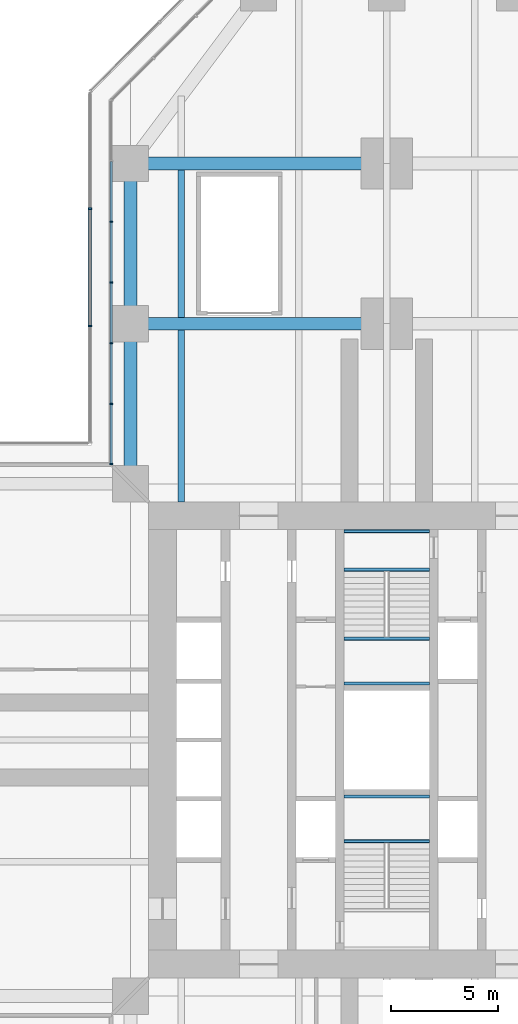
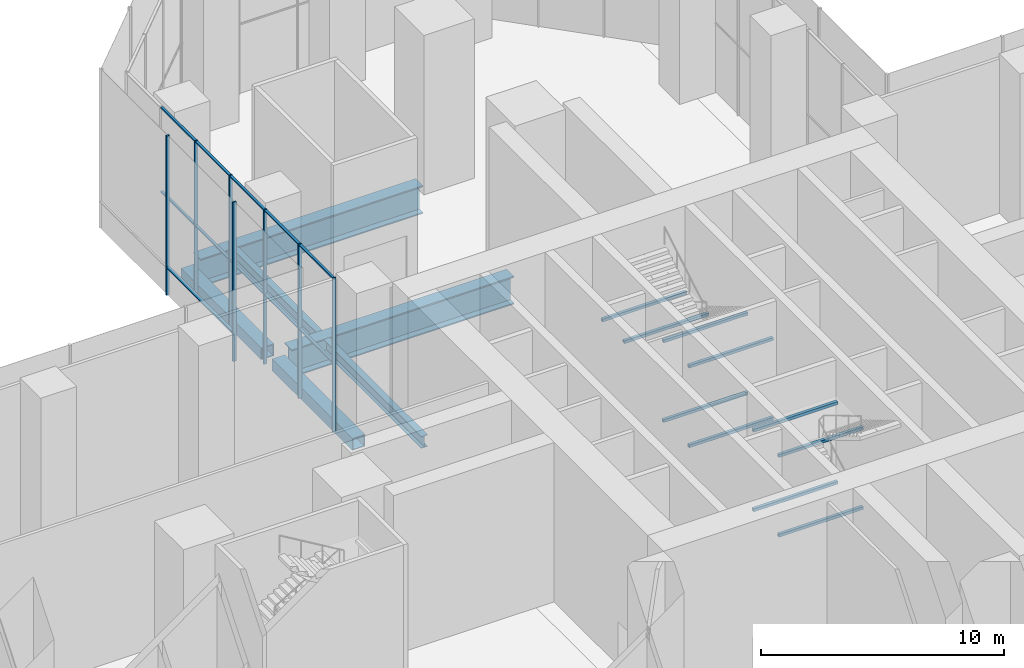
# One storey, part 8 of 25: 18 members, 16 beams, 2 elements without a shape of their own.
"""IFC4 building model written with IfcOpenShell, lengths in metres."""

from ifc_helpers import new_model, si_unit, direction, frame, origin, origin_2d, place, context, subcontext, project, spatial, rectangle, hollow_rectangle, i_section, extrude, material, material_profile, profile_set, type_object, element, aggregate, save


model = new_model("IFC4")

# Units and contexts
model_context = context("Model", 3, precision=1e-05, world=origin(), true_north=direction((0.0, 1.0)))
body_context = subcontext(model_context, "Body", "Model", "MODEL_VIEW")
ifc_project = project(units=[si_unit("LENGTHUNIT", "METRE"), si_unit("AREAUNIT", "SQUARE_METRE"), si_unit("VOLUMEUNIT", "CUBIC_METRE"), si_unit("PLANEANGLEUNIT", "RADIAN"), si_unit("MASSUNIT", "GRAM", prefix="KILO")], contexts=[model_context])

# Site, building, storey
site_placement = place(None, origin())
site = spatial("IfcSite", under=ifc_project, at=site_placement, CompositionType="ELEMENT")
building_placement = place(site_placement, origin())
building = spatial("IfcBuilding", under=site, at=building_placement, Name="Mizan Broadcast Tower", CompositionType="ELEMENT")
storey_placement = place(building_placement, frame((0.0, 0.0, 7.0)))
storey = spatial("IfcBuildingStorey", under=building, at=storey_placement, Name="L01", CompositionType="ELEMENT", Elevation=7.0)

# Beams
ifc_material_1 = material(Name="Steel S355", Category="steel")
ifc_material_profile_1 = material_profile(ifc_material_1, hollow_rectangle(XDim=0.60009765625, YDim=0.60009765625, WallThickness=0.0400390625, at=origin_2d()), Name="BOX 600x600x40")
ifc_profile_set_1 = profile_set([ifc_material_profile_1], Name="Steel S355")
beam_type_1 = type_object("IfcBeamType", Name="EDGE BEAM BOX 600x600x40", PredefinedType="SPANDREL", material=ifc_profile_set_1)
for number, where, z_axis, x_axis, name in (
    (1, (-12.0, 12.449951171875, -0.550048828125), (0.0, 1.0, 0.0), (-1.0, 0.0, 0.0), "Edge beam BOX 600x600x40 L01 north arm"),
    (2, (-12.0, 19.949951171875, -0.550048828125), (0.0, 1.0, 0.0), (-1.0, 0.0, 0.0), "Edge beam BOX 600x600x40 L01 north arm"),
):
    element("IfcBeam", number, at=place(storey_placement, frame(where, z_axis=z_axis, x_axis=x_axis)), inside=storey, type_object=beam_type_1, Name=name, PredefinedType="SPANDREL", context=body_context, shape_type="SweptSolid", body=[
        extrude(hollow_rectangle(XDim=0.60009765625, YDim=0.60009765625, WallThickness=0.0400390625, at=origin_2d()), origin(), (0.0, 0.0, 1.0), 6.60009765625),
    ])
ifc_material_2 = material(Name="Steel S460", Category="steel")
ifc_material_profile_2 = material_profile(ifc_material_2, i_section(OverallWidth=0.60009765625, OverallDepth=1.39990234375, WebThickness=0.02490234375, FlangeThickness=0.06005859375, at=origin_2d()), Name="WPG 1400x600")
ifc_profile_set_2 = profile_set([ifc_material_profile_2], Name="Steel S460")
beam_type_2 = type_object("IfcBeamType", Name="GIRDER WPG 1400x600", PredefinedType="BEAM", material=ifc_profile_set_2)
for number, where, z_axis, x_axis, name in (
    (3, (-0.719970703125, 19.5, -0.949951171875), (-1.0, 0.0, 0.0), (0.0, -1.0, 0.0), "Girder WPG 1400x600 L01 north arm"),
    (4, (-0.719970703125, 27.0, -0.949951171875), (-1.0, 0.0, 0.0), (0.0, -1.0, 0.0), "Girder WPG 1400x600 L01 north arm"),
):
    element("IfcBeam", number, at=place(storey_placement, frame(where, z_axis=z_axis, x_axis=x_axis)), inside=storey, type_object=beam_type_2, Name=name, PredefinedType="BEAM", context=body_context, shape_type="SweptSolid", body=[
        extrude(i_section(OverallWidth=0.60009765625, OverallDepth=1.39990234375, WebThickness=0.02490234375, FlangeThickness=0.06005859375, at=origin_2d()), origin(), (0.0, 0.0, 1.0), 10.56005859375),
    ])

# Curtain wall, members
ifc_material_3 = material(Name="Aluminium framed glazing", Category="aluminium")
curtain_wall_type_1 = type_object("IfcCurtainWallType", Name="PODIUM CURTAIN WALL", PredefinedType="USERDEFINED", material=ifc_material_3)
curtain_wall_1_placement = place(storey_placement, origin())
curtain_wall_1 = element("IfcCurtainWall", 5, at=curtain_wall_1_placement, inside=storey, type_object=curtain_wall_type_1, Name="Podium curtain wall L01 N side", ObjectType="PODIUM CURTAIN WALL", PredefinedType="USERDEFINED")
ifc_material_4 = material(Name="Aluminium, pale anodised", Category="aluminium")
ifc_material_profile_3 = material_profile(ifc_material_4, rectangle(XDim=0.159912109375, YDim=0.06005859375, at=origin_2d()), Name="MULLION 160x60")
ifc_profile_set_3 = profile_set([ifc_material_profile_3], Name="Aluminium, pale anodised")
member_type_1 = type_object("IfcMemberType", Name="INNER SKIN MULLION 60x160", PredefinedType="MULLION", material=ifc_profile_set_3)
member_1_placement = place(storey_placement, frame((-12.89990234375, 24.2724609375, 0.0), z_axis=(0.0, 0.0, 1.0), x_axis=(1.0, 0.0, 0.0)))
member_1 = element("IfcMember", 6, at=member_1_placement, type_object=member_type_1, Name="Podium curtain wall L01 N side mullion 3", PredefinedType="MULLION", context=body_context, shape_type="SweptSolid", body=[
    extrude(rectangle(XDim=0.159912109375, YDim=0.06005859375, at=origin_2d()), origin(), (0.0, 0.0, 1.0), 7.75),
])
member_2_placement = place(storey_placement, frame((-12.89990234375, 21.42919921875, 0.0), z_axis=(0.0, 0.0, 1.0), x_axis=(1.0, 0.0, 0.0)))
member_2 = element("IfcMember", 7, at=member_2_placement, type_object=member_type_1, Name="Podium curtain wall L01 N side mullion 4", PredefinedType="MULLION", context=body_context, shape_type="SweptSolid", body=[
    extrude(rectangle(XDim=0.159912109375, YDim=0.06005859375, at=origin_2d()), origin(), (0.0, 0.0, 1.0), 7.75),
])
member_3_placement = place(storey_placement, frame((-12.89990234375, 18.586181640625, 0.0), z_axis=(0.0, 0.0, 1.0), x_axis=(1.0, 0.0, 0.0)))
member_3 = element("IfcMember", 8, at=member_3_placement, type_object=member_type_1, Name="Podium curtain wall L01 N side mullion 5", PredefinedType="MULLION", context=body_context, shape_type="SweptSolid", body=[
    extrude(rectangle(XDim=0.159912109375, YDim=0.06005859375, at=origin_2d()), origin(), (0.0, 0.0, 1.0), 7.75),
])
member_4_placement = place(storey_placement, frame((-12.89990234375, 15.7431640625, 0.0), z_axis=(0.0, 0.0, 1.0), x_axis=(1.0, 0.0, 0.0)))
member_4 = element("IfcMember", 9, at=member_4_placement, type_object=member_type_1, Name="Podium curtain wall L01 N side mullion 6", PredefinedType="MULLION", context=body_context, shape_type="SweptSolid", body=[
    extrude(rectangle(XDim=0.159912109375, YDim=0.06005859375, at=origin_2d()), origin(), (0.0, 0.0, 1.0), 7.75),
])
member_5_placement = place(storey_placement, frame((-12.89990234375, 12.929931640625, 0.0), z_axis=(0.0, 0.0, 1.0), x_axis=(1.0, 0.0, 0.0)))
member_5 = element("IfcMember", 10, at=member_5_placement, type_object=member_type_1, Name="Podium curtain wall L01 N side mullion 7", PredefinedType="MULLION", context=body_context, shape_type="SweptSolid", body=[
    extrude(rectangle(XDim=0.159912109375, YDim=0.06005859375, at=origin_2d()), origin(), (0.0, 0.0, 1.0), 7.75),
])
ifc_material_5 = material(Name="Aluminium, pale anodised", Category="aluminium")
ifc_material_profile_4 = material_profile(ifc_material_5, rectangle(XDim=0.1201171875, YDim=0.06005859375, at=origin_2d()), Name="TRANSOM 120x60")
ifc_profile_set_4 = profile_set([ifc_material_profile_4], Name="Aluminium, pale anodised")
member_type_2 = type_object("IfcMemberType", Name="INNER SKIN TRANSOM 60x120", PredefinedType="USERDEFINED", material=ifc_profile_set_4)
member_6_placement = place(storey_placement, frame((-12.89990234375, 27.08544921875, 3.5), z_axis=(0.0, -1.0, 0.0), x_axis=(1.0, 0.0, 0.0)))
member_6 = element("IfcMember", 11, at=member_6_placement, type_object=member_type_2, Name="Podium curtain wall L01 N side transom 2.1", ObjectType="TRANSOM", PredefinedType="USERDEFINED", context=body_context, shape_type="SweptSolid", body=[
    extrude(rectangle(XDim=0.1201171875, YDim=0.06005859375, at=origin_2d()), origin(), (0.0, 0.0, 1.0), 2.782958984375),
])
member_7_placement = place(storey_placement, frame((-12.89990234375, 27.08544921875, 7.719970703125), z_axis=(0.0, -1.0, 0.0), x_axis=(1.0, 0.0, 0.0)))
member_7 = element("IfcMember", 12, at=member_7_placement, type_object=member_type_2, Name="Podium curtain wall L01 N side transom 2.2", ObjectType="TRANSOM", PredefinedType="USERDEFINED", context=body_context, shape_type="SweptSolid", body=[
    extrude(rectangle(XDim=0.1201171875, YDim=0.06005859375, at=origin_2d()), origin(), (0.0, 0.0, 1.0), 2.782958984375),
])
member_8_placement = place(storey_placement, frame((-12.89990234375, 24.242431640625, 3.5), z_axis=(0.0, -1.0, 0.0), x_axis=(1.0, 0.0, 0.0)))
member_8 = element("IfcMember", 13, at=member_8_placement, type_object=member_type_2, Name="Podium curtain wall L01 N side transom 3.1", ObjectType="TRANSOM", PredefinedType="USERDEFINED", context=body_context, shape_type="SweptSolid", body=[
    extrude(rectangle(XDim=0.1201171875, YDim=0.06005859375, at=origin_2d()), origin(), (0.0, 0.0, 1.0), 2.783203125),
])
member_9_placement = place(storey_placement, frame((-12.89990234375, 24.242431640625, 7.719970703125), z_axis=(0.0, -1.0, 0.0), x_axis=(1.0, 0.0, 0.0)))
member_9 = element("IfcMember", 14, at=member_9_placement, type_object=member_type_2, Name="Podium curtain wall L01 N side transom 3.2", ObjectType="TRANSOM", PredefinedType="USERDEFINED", context=body_context, shape_type="SweptSolid", body=[
    extrude(rectangle(XDim=0.1201171875, YDim=0.06005859375, at=origin_2d()), origin(), (0.0, 0.0, 1.0), 2.783203125),
])
member_10_placement = place(storey_placement, frame((-12.89990234375, 21.399169921875, 3.5), z_axis=(0.0, -1.0, 0.0), x_axis=(1.0, 0.0, 0.0)))
member_10 = element("IfcMember", 15, at=member_10_placement, type_object=member_type_2, Name="Podium curtain wall L01 N side transom 4.1", ObjectType="TRANSOM", PredefinedType="USERDEFINED", context=body_context, shape_type="SweptSolid", body=[
    extrude(rectangle(XDim=0.1201171875, YDim=0.06005859375, at=origin_2d()), origin(), (0.0, 0.0, 1.0), 2.782958984375),
])
member_11_placement = place(storey_placement, frame((-12.89990234375, 21.399169921875, 7.719970703125), z_axis=(0.0, -1.0, 0.0), x_axis=(1.0, 0.0, 0.0)))
member_11 = element("IfcMember", 16, at=member_11_placement, type_object=member_type_2, Name="Podium curtain wall L01 N side transom 4.2", ObjectType="TRANSOM", PredefinedType="USERDEFINED", context=body_context, shape_type="SweptSolid", body=[
    extrude(rectangle(XDim=0.1201171875, YDim=0.06005859375, at=origin_2d()), origin(), (0.0, 0.0, 1.0), 2.782958984375),
])
member_12_placement = place(storey_placement, frame((-12.89990234375, 18.55615234375, 3.5), z_axis=(0.0, -1.0, 0.0), x_axis=(1.0, 0.0, 0.0)))
member_12 = element("IfcMember", 17, at=member_12_placement, type_object=member_type_2, Name="Podium curtain wall L01 N side transom 5.1", ObjectType="TRANSOM", PredefinedType="USERDEFINED", context=body_context, shape_type="SweptSolid", body=[
    extrude(rectangle(XDim=0.1201171875, YDim=0.06005859375, at=origin_2d()), origin(), (0.0, 0.0, 1.0), 2.782958984375),
])
member_13_placement = place(storey_placement, frame((-12.89990234375, 18.55615234375, 7.719970703125), z_axis=(0.0, -1.0, 0.0), x_axis=(1.0, 0.0, 0.0)))
member_13 = element("IfcMember", 18, at=member_13_placement, type_object=member_type_2, Name="Podium curtain wall L01 N side transom 5.2", ObjectType="TRANSOM", PredefinedType="USERDEFINED", context=body_context, shape_type="SweptSolid", body=[
    extrude(rectangle(XDim=0.1201171875, YDim=0.06005859375, at=origin_2d()), origin(), (0.0, 0.0, 1.0), 2.782958984375),
])
member_14_placement = place(storey_placement, frame((-12.89990234375, 15.713134765625, 3.5), z_axis=(0.0, -1.0, 0.0), x_axis=(1.0, 0.0, 0.0)))
member_14 = element("IfcMember", 19, at=member_14_placement, type_object=member_type_2, Name="Podium curtain wall L01 N side transom 6.1", ObjectType="TRANSOM", PredefinedType="USERDEFINED", context=body_context, shape_type="SweptSolid", body=[
    extrude(rectangle(XDim=0.1201171875, YDim=0.06005859375, at=origin_2d()), origin(), (0.0, 0.0, 1.0), 2.753173828125),
])
member_15_placement = place(storey_placement, frame((-12.89990234375, 15.713134765625, 7.719970703125), z_axis=(0.0, -1.0, 0.0), x_axis=(1.0, 0.0, 0.0)))
member_15 = element("IfcMember", 20, at=member_15_placement, type_object=member_type_2, Name="Podium curtain wall L01 N side transom 6.2", ObjectType="TRANSOM", PredefinedType="USERDEFINED", context=body_context, shape_type="SweptSolid", body=[
    extrude(rectangle(XDim=0.1201171875, YDim=0.06005859375, at=origin_2d()), origin(), (0.0, 0.0, 1.0), 2.753173828125),
])
aggregate(curtain_wall_1, [member_1, member_2, member_3, member_4, member_5, member_6, member_7, member_8, member_9, member_10, member_11, member_12, member_13, member_14, member_15])

# Beams
ifc_material_6 = material(Name="Steel S355", Category="steel")
ifc_material_profile_5 = material_profile(ifc_material_6, hollow_rectangle(XDim=0.14990234375, YDim=0.14990234375, WallThickness=0.008056640625, InnerFilletRadius=0.008056640625, OuterFilletRadius=0.011962890625, at=origin_2d()), Name="SHS 150x150x8")
ifc_profile_set_5 = profile_set([ifc_material_profile_5], Name="Steel S355")
beam_type_3 = type_object("IfcBeamType", Name="LANDING TRIMMER SHS 150x150x8", PredefinedType="BEAM", material=ifc_profile_set_5)
for number, where, z_axis, x_axis, name in (
    (21, (-2.0, -4.7451171875, 1.72509765625), (1.0, 0.0, 0.0), (0.0, 1.0, 0.0), "Stair A landing trimmer L01"),
    (22, (-2.0, -2.64990234375, 1.72509765625), (1.0, 0.0, 0.0), (0.0, 1.0, 0.0), "Stair A landing trimmer L01"),
    (23, (-2.0, -4.7451171875, 5.72509765625), (1.0, 0.0, 0.0), (0.0, 1.0, 0.0), "Stair A landing trimmer L01"),
    (24, (-2.0, -2.64990234375, 5.72509765625), (1.0, 0.0, 0.0), (0.0, 1.0, 0.0), "Stair A landing trimmer L01"),
    (25, (2.0, 4.7451171875, 1.72509765625), (-1.0, 0.0, 0.0), (0.0, -1.0, 0.0), "Stair B landing trimmer L01"),
    (26, (2.0, 2.64990234375, 1.72509765625), (-1.0, 0.0, 0.0), (0.0, -1.0, 0.0), "Stair B landing trimmer L01"),
    (27, (2.0, 9.77490234375, 3.72509765625), (-1.0, 0.0, 0.0), (0.0, -1.0, 0.0), "Stair B landing trimmer L01"),
    (28, (2.0, 7.97509765625, 3.72509765625), (-1.0, 0.0, 0.0), (0.0, -1.0, 0.0), "Stair B landing trimmer L01"),
    (29, (2.0, 4.7451171875, 5.72509765625), (-1.0, 0.0, 0.0), (0.0, -1.0, 0.0), "Stair B landing trimmer L01"),
    (30, (2.0, 2.64990234375, 5.72509765625), (-1.0, 0.0, 0.0), (0.0, -1.0, 0.0), "Stair B landing trimmer L01"),
):
    element("IfcBeam", number, at=place(storey_placement, frame(where, z_axis=z_axis, x_axis=x_axis)), inside=storey, type_object=beam_type_3, Name=name, PredefinedType="BEAM", context=body_context, shape_type="SweptSolid", body=[
        extrude(hollow_rectangle(XDim=0.14990234375, YDim=0.14990234375, WallThickness=0.008056640625, InnerFilletRadius=0.008056640625, OuterFilletRadius=0.011962890625, at=origin_2d()), origin(), (0.0, 0.0, 1.0), 4.0),
    ])

# Curtain wall, members
ifc_material_7 = material(Name="Aluminium framed glazing", Category="aluminium")
curtain_wall_type_2 = type_object("IfcCurtainWallType", Name="OUTER SKIN", PredefinedType="USERDEFINED", material=ifc_material_7)
curtain_wall_2_placement = place(storey_placement, origin())
curtain_wall_2 = element("IfcCurtainWall", 31, at=curtain_wall_2_placement, inside=storey, type_object=curtain_wall_type_2, Name="Outer skin L01 N side", ObjectType="OUTER SKIN", PredefinedType="USERDEFINED")
ifc_material_8 = material(Name="Aluminium, pale anodised", Category="aluminium")
ifc_material_profile_6 = material_profile(ifc_material_8, rectangle(XDim=0.159912109375, YDim=0.080078125, at=origin_2d()), Name="MULLION 160x80")
ifc_profile_set_6 = profile_set([ifc_material_profile_6], Name="Aluminium, pale anodised")
member_type_3 = type_object("IfcMemberType", Name="OUTER SKIN MULLION 80x160", PredefinedType="MULLION", material=ifc_profile_set_6)
member_16_placement = place(storey_placement, frame((-13.89990234375, 24.8818359375, 0.0), z_axis=(0.0, 0.0, 1.0), x_axis=(1.0, 0.0, 0.0)))
member_16 = element("IfcMember", 32, at=member_16_placement, type_object=member_type_3, Name="Outer skin L01 N side mullion 2", PredefinedType="MULLION", context=body_context, shape_type="SweptSolid", body=[
    extrude(rectangle(XDim=0.159912109375, YDim=0.080078125, at=origin_2d()), origin(), (0.0, 0.0, 1.0), 8.0),
])
member_17_placement = place(storey_placement, frame((-13.89990234375, 19.390869140625, 0.0), z_axis=(0.0, 0.0, 1.0), x_axis=(1.0, 0.0, 0.0)))
member_17 = element("IfcMember", 33, at=member_17_placement, type_object=member_type_3, Name="Outer skin L01 N side mullion 3", PredefinedType="MULLION", context=body_context, shape_type="SweptSolid", body=[
    extrude(rectangle(XDim=0.159912109375, YDim=0.080078125, at=origin_2d()), origin(), (0.0, 0.0, 1.0), 8.0),
])
ifc_material_9 = material(Name="Aluminium, pale anodised", Category="aluminium")
ifc_material_profile_7 = material_profile(ifc_material_9, rectangle(XDim=0.159912109375, YDim=0.06005859375, at=origin_2d()), Name="TRANSOM 160x60")
ifc_profile_set_7 = profile_set([ifc_material_profile_7], Name="Aluminium, pale anodised")
member_type_4 = type_object("IfcMemberType", Name="OUTER SKIN TRANSOM 60x160", PredefinedType="USERDEFINED", material=ifc_profile_set_7)
member_18_placement = place(storey_placement, frame((-13.89990234375, 24.841796875, 1.39990234375), z_axis=(0.0, -1.0, 0.0), x_axis=(1.0, 0.0, 0.0)))
member_18 = element("IfcMember", 34, at=member_18_placement, type_object=member_type_4, Name="Outer skin L01 N side transom 2.1", ObjectType="TRANSOM", PredefinedType="USERDEFINED", context=body_context, shape_type="SweptSolid", body=[
    extrude(rectangle(XDim=0.159912109375, YDim=0.06005859375, at=origin_2d()), origin(), (0.0, 0.0, 1.0), 5.410888671875),
])
aggregate(curtain_wall_2, [member_16, member_17, member_18])

# Beams
ifc_material_10 = material(Name="Steel S355", Category="steel")
ifc_material_profile_8 = material_profile(ifc_material_10, i_section(OverallWidth=0.300048828125, OverallDepth=0.590087890625, WebThickness=0.012939453125, FlangeThickness=0.02490234375, FilletRadius=0.027099609375, at=origin_2d()), Name="HEA 600")
ifc_profile_set_8 = profile_set([ifc_material_profile_8], Name="Steel S355")
beam_type_4 = type_object("IfcBeamType", Name="SECONDARY BEAM HEA 600", PredefinedType="JOIST", material=ifc_profile_set_8)
beam_1_placement = place(storey_placement, frame((-9.625, 11.14990234375, -0.544921875), z_axis=(0.0, 1.0, 0.0), x_axis=(-1.0, 0.0, 0.0)))
element("IfcBeam", 35, at=beam_1_placement, inside=storey, type_object=beam_type_4, Name="Secondary beam HEA 600 L01 north arm", PredefinedType="JOIST", context=body_context, shape_type="SweptSolid", body=[
    extrude(i_section(OverallWidth=0.300048828125, OverallDepth=0.590087890625, WebThickness=0.012939453125, FlangeThickness=0.02490234375, FilletRadius=0.027099609375, at=origin_2d()), origin(), (0.0, 0.0, 1.0), 8.050048828125),
])
beam_2_placement = place(storey_placement, frame((-9.625, 19.800048828125, -0.544921875), z_axis=(0.0, 1.0, 0.0), x_axis=(-1.0, 0.0, 0.0)))
element("IfcBeam", 36, at=beam_2_placement, inside=storey, type_object=beam_type_4, Name="Secondary beam HEA 600 L01 north arm", PredefinedType="JOIST", context=body_context, shape_type="SweptSolid", body=[
    extrude(i_section(OverallWidth=0.300048828125, OverallDepth=0.590087890625, WebThickness=0.012939453125, FlangeThickness=0.02490234375, FilletRadius=0.027099609375, at=origin_2d()), origin(), (0.0, 0.0, 1.0), 6.89990234375),
])

save(model, "model.ifc")
